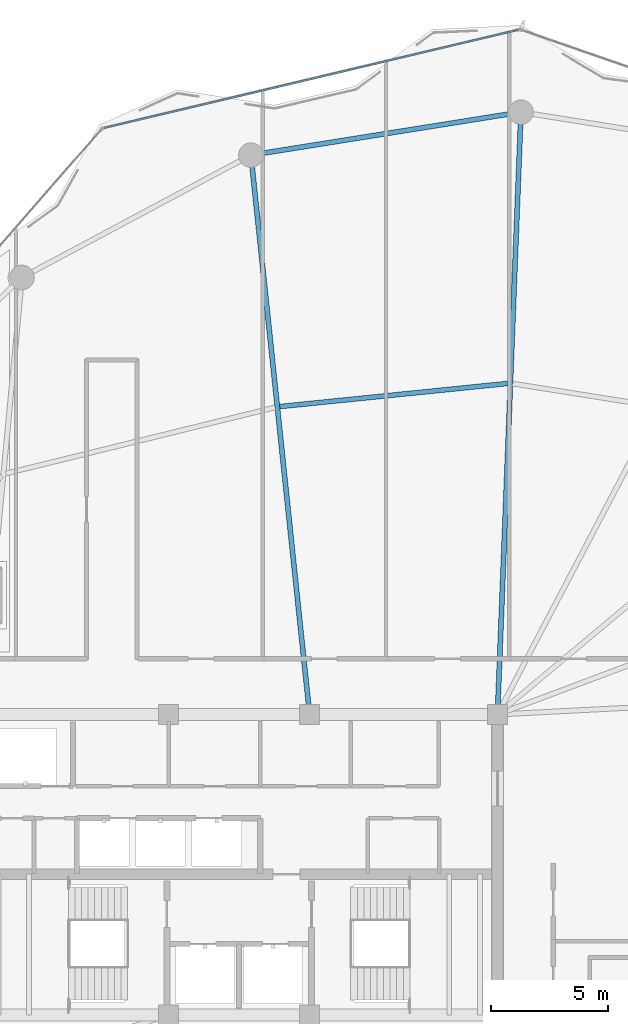
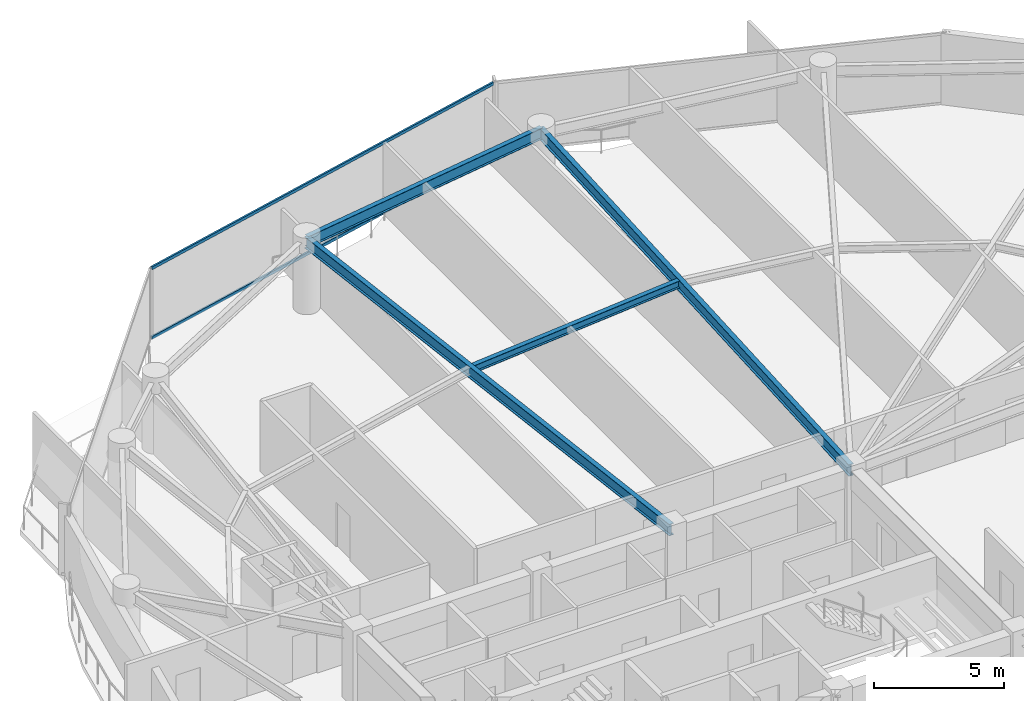
# One storey, part 18 of 29: 4 beams, 2 members, 1 element without a shape of its own.
"""IFC4 building model written with IfcOpenShell, lengths in metres."""

from ifc_helpers import new_model, si_unit, direction, frame, origin, origin_2d, place, context, subcontext, project, spatial, hollow_rectangle, i_section, extrude, material, layer, layer_set, material_profile, profile_set, type_object, element, aggregate, save


model = new_model("IFC4")

# Units and contexts
model_context = context("Model", 3, precision=1e-05, world=origin(), true_north=direction((0.0, 1.0)))
body_context = subcontext(model_context, "Body", "Model", "MODEL_VIEW")
ifc_project = project(units=[si_unit("LENGTHUNIT", "METRE"), si_unit("AREAUNIT", "SQUARE_METRE"), si_unit("VOLUMEUNIT", "CUBIC_METRE"), si_unit("PLANEANGLEUNIT", "RADIAN"), si_unit("MASSUNIT", "GRAM", prefix="KILO")], contexts=[model_context])

# Site, building, storey
site_placement = place(None, origin())
site = spatial("IfcSite", under=ifc_project, at=site_placement, CompositionType="ELEMENT")
building_placement = place(site_placement, origin())
building = spatial("IfcBuilding", under=site, at=building_placement, Name="Kazevale Care Tower and Concert Hall", CompositionType="ELEMENT")
storey_placement = place(building_placement, frame((0.0, 0.0, 213.60009765625)))
storey = spatial("IfcBuildingStorey", under=building, at=storey_placement, Name="L56", CompositionType="ELEMENT", Elevation=213.60009765625)

# Curtain wall, members
ifc_material_1 = material(Name="Aluminium 6063-T6 and Low-E Glass", Category="aluminium")
ifc_layer = layer(ifc_material_1, 0.179931640625)
ifc_layer_set = layer_set([ifc_layer], Name="Aluminium 6063-T6 and Low-E Glass")
curtain_wall_type = type_object("IfcCurtainWallType", Name="Waist & Upper Residential Curtain Wall CW-4", PredefinedType="NOTDEFINED", material=ifc_layer_set)
curtain_wall_placement = place(storey_placement, origin())
curtain_wall = element("IfcCurtainWall", 1, at=curtain_wall_placement, inside=storey, type_object=curtain_wall_type, Name="cw:L56:f15", PredefinedType="NOTDEFINED")
ifc_material_2 = material(Name="Aluminium 6063-T6", Category="aluminium")
ifc_material_profile_1 = material_profile(ifc_material_2, hollow_rectangle(XDim=0.080078125, YDim=0.139892578125, WallThickness=0.00390625, at=origin_2d()), Name="ALU80x140x4")
ifc_profile_set_1 = profile_set([ifc_material_profile_1], Name="Aluminium 6063-T6")
member_type = type_object("IfcMemberType", Name="CW-4 Transom ALU80x140x4", PredefinedType="USERDEFINED", material=ifc_profile_set_1)
member_1_placement = place(storey_placement, frame((27.249755859375, 61.37548828125, 0.039794921875), z_axis=(0.973087923042, 0.2304341425, 0.0), x_axis=(-0.2304341425, 0.973087923042, 0.0)))
member_1 = element("IfcMember", 2, at=member_1_placement, type_object=member_type, Name="CW-4 transom 1.1", ObjectType="TRANSOM", PredefinedType="USERDEFINED", context=body_context, shape_type="SweptSolid", body=[
    extrude(hollow_rectangle(XDim=0.080078125, YDim=0.139892578125, WallThickness=0.00390625, at=origin_2d()), origin(), (0.0, 0.0, 1.0), 18.114013671875),
])
member_2_placement = place(storey_placement, frame((27.249755859375, 61.37548828125, 3.31982421875), z_axis=(0.973087923042, 0.2304341425, 0.0), x_axis=(-0.2304341425, 0.973087923042, 0.0)))
member_2 = element("IfcMember", 3, at=member_2_placement, type_object=member_type, Name="CW-4 transom 1.2", ObjectType="TRANSOM", PredefinedType="USERDEFINED", context=body_context, shape_type="SweptSolid", body=[
    extrude(hollow_rectangle(XDim=0.080078125, YDim=0.139892578125, WallThickness=0.00390625, at=origin_2d()), origin(), (0.0, 0.0, 1.0), 18.114013671875),
])
aggregate(curtain_wall, [member_1, member_2])

# Beams
ifc_material_3 = material(Name="Steel ASTM A572 Gr 50", Category="steel")
ifc_material_profile_2 = material_profile(ifc_material_3, i_section(OverallWidth=0.2119140625, OverallDepth=0.5439453125, WebThickness=0.01318359375, FlangeThickness=0.021240234375, at=origin_2d()), Name="W530x123")
ifc_profile_set_2 = profile_set([ifc_material_profile_2], Name="Steel ASTM A572 Gr 50")
beam_type_1 = type_object("IfcBeamType", Name="Radial Floor Girder W530x123", PredefinedType="BEAM", material=ifc_profile_set_2)
beam_1_placement = place(storey_placement, frame((44.0, 36.39990234375, 3.087890625), z_axis=(0.03895653799, 0.999240905962, 0.0), x_axis=(-0.999240905962, 0.03895653799, 0.0)))
element("IfcBeam", 4, at=beam_1_placement, inside=storey, type_object=beam_type_1, Name="beam:L56:rad:05", PredefinedType="BEAM", context=body_context, shape_type="SweptSolid", body=[
    extrude(i_section(OverallWidth=0.2119140625, OverallDepth=0.5439453125, WebThickness=0.01318359375, FlangeThickness=0.021240234375, at=origin_2d()), origin(), (0.0, 0.0, 1.0), 25.669677734375),
])
beam_2_placement = place(storey_placement, frame((36.0, 36.39990234375, 3.087890625), z_axis=(-0.104380207012, 0.994537466556, 0.0), x_axis=(-0.994537466556, -0.104380207012, 0.0)))
element("IfcBeam", 5, at=beam_2_placement, inside=storey, type_object=beam_type_1, Name="beam:L56:rad:06", PredefinedType="BEAM", context=body_context, shape_type="SweptSolid", body=[
    extrude(i_section(OverallWidth=0.2119140625, OverallDepth=0.5439453125, WebThickness=0.01318359375, FlangeThickness=0.021240234375, at=origin_2d()), origin(), (0.0, 0.0, 1.0), 23.950927734375),
])
ifc_material_profile_3 = material_profile(ifc_material_3, i_section(OverallWidth=0.205078125, OverallDepth=0.35400390625, WebThickness=0.009521484375, FlangeThickness=0.016845703125, at=origin_2d()), Name="W360x79")
ifc_profile_set_3 = profile_set([ifc_material_profile_3], Name="Steel ASTM A572 Gr 50")
beam_type_2 = type_object("IfcBeamType", Name="Secondary Floor Joist W360x79", PredefinedType="JOIST", material=ifc_profile_set_3)
beam_3_placement = place(storey_placement, frame((44.446044921875, 50.4970703125, 3.182861328125), z_axis=(-0.994900388447, -0.10086236696, 0.0), x_axis=(0.10086236696, -0.994900388447, 0.0)))
element("IfcBeam", 6, at=beam_3_placement, inside=storey, type_object=beam_type_2, Name="beam:L56:joist:05", PredefinedType="JOIST", context=body_context, shape_type="SweptSolid", body=[
    extrude(i_section(OverallWidth=0.205078125, OverallDepth=0.35400390625, WebThickness=0.009521484375, FlangeThickness=0.016845703125, at=origin_2d()), origin(), (0.0, 0.0, 1.0), 9.766845703125),
])
ifc_material_profile_4 = material_profile(ifc_material_3, i_section(OverallWidth=0.208984375, OverallDepth=0.532958984375, WebThickness=0.01025390625, FlangeThickness=0.015625, at=origin_2d()), Name="W530x92")
ifc_profile_set_4 = profile_set([ifc_material_profile_4], Name="Steel ASTM A572 Gr 50")
beam_type_3 = type_object("IfcBeamType", Name="Upper Ring Beam W530x92", PredefinedType="BEAM", material=ifc_profile_set_4)
beam_4_placement = place(storey_placement, frame((45.0, 62.050048828125, 3.093505859375), z_axis=(-0.987573207584, -0.15715966296, 0.0), x_axis=(0.15715966296, -0.987573207584, 0.0)))
element("IfcBeam", 7, at=beam_4_placement, inside=storey, type_object=beam_type_3, Name="beam:L56:ring:05", PredefinedType="BEAM", context=body_context, shape_type="SweptSolid", body=[
    extrude(i_section(OverallWidth=0.208984375, OverallDepth=0.532958984375, WebThickness=0.01025390625, FlangeThickness=0.015625, at=origin_2d()), origin(), (0.0, 0.0, 1.0), 11.644775390625),
])

save(model, "model.ifc")
